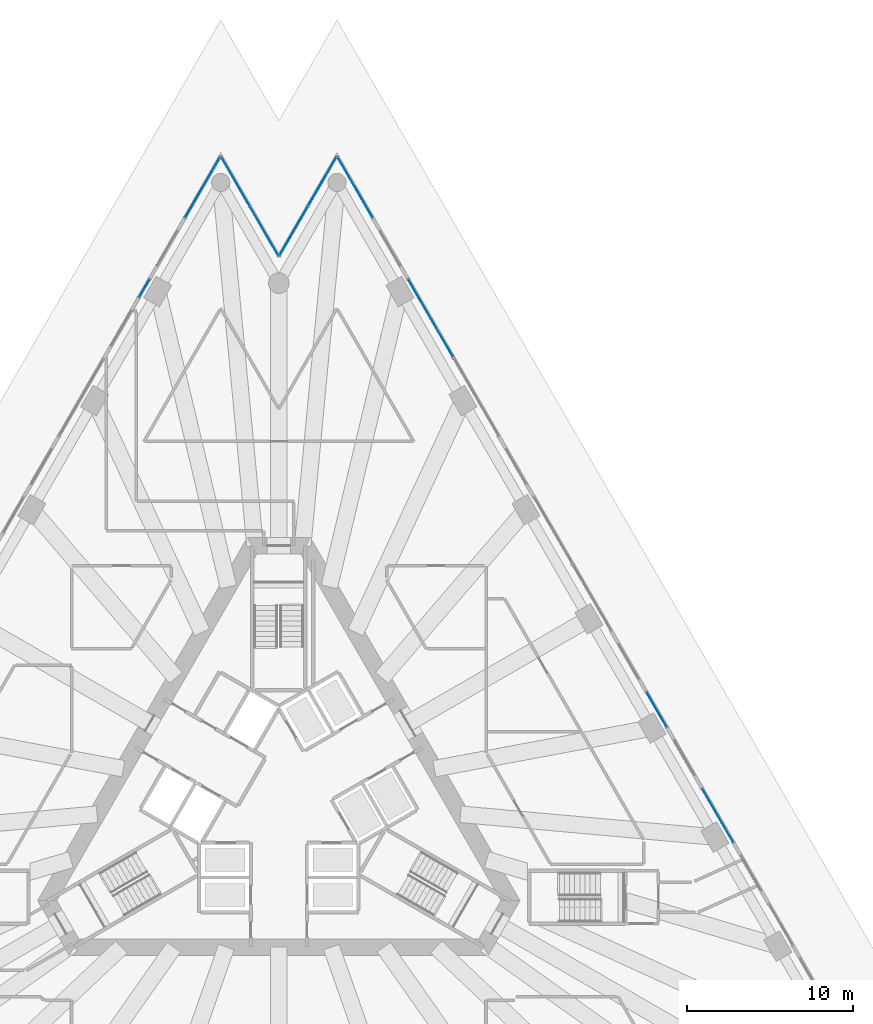
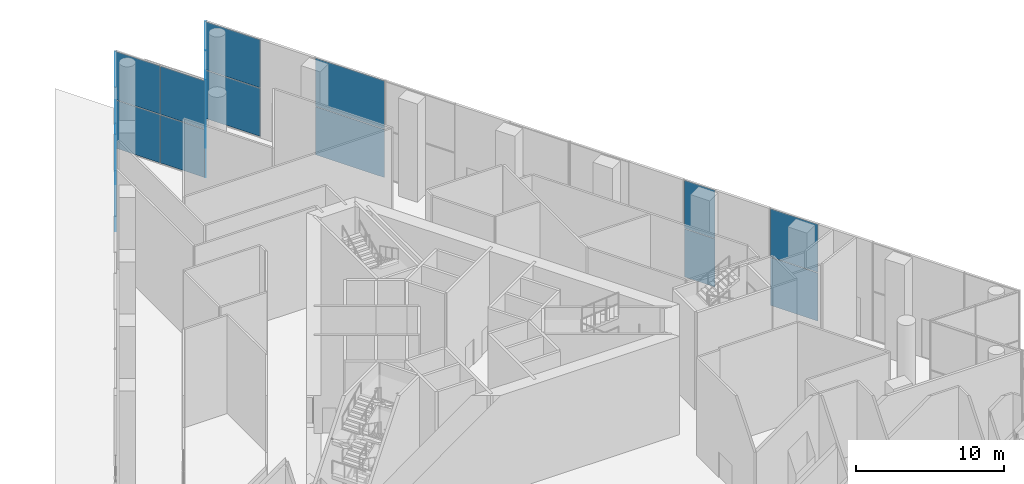
# One storey, part 19 of 41: 20 plates, 8 elements without a shape of their own.
"""IFC4 building model written with IfcOpenShell, lengths in metres."""

from ifc_helpers import new_model, si_unit, direction, frame, origin, origin_2d, place, context, subcontext, project, spatial, rectangle, extrude, material, layer, layer_set, type_object, element, aggregate, save


model = new_model("IFC4")

# Units and contexts
model_context = context("Model", 3, precision=1e-05, world=origin(), true_north=direction((0.0, 1.0)))
body_context = subcontext(model_context, "Body", "Model", "MODEL_VIEW")
ifc_project = project(units=[si_unit("LENGTHUNIT", "METRE"), si_unit("AREAUNIT", "SQUARE_METRE"), si_unit("VOLUMEUNIT", "CUBIC_METRE"), si_unit("PLANEANGLEUNIT", "RADIAN"), si_unit("MASSUNIT", "GRAM", prefix="KILO")], contexts=[model_context])

# Site, building, storey
site_placement = place(None, origin())
site = spatial("IfcSite", under=ifc_project, at=site_placement, CompositionType="ELEMENT")
building_placement = place(site_placement, origin())
building = spatial("IfcBuilding", under=site, at=building_placement, Name="Triada Interchange Tower", CompositionType="ELEMENT")
storey_placement = place(building_placement, origin())
storey = spatial("IfcBuildingStorey", under=building, at=storey_placement, Name="L00", CompositionType="ELEMENT", Elevation=0.0)

# Curtain wall, plates
ifc_material_1 = material(Name="Aluminium framed glazing", Category="aluminium")
ifc_layer_1 = layer(ifc_material_1, 0.199951171875)
ifc_layer_set_1 = layer_set([ifc_layer_1], Name="Curtain wall Concourse glazed screen")
curtain_wall_type_1 = type_object("IfcCurtainWallType", Name="Curtain wall Concourse glazed screen", PredefinedType="NOTDEFINED", material=ifc_layer_set_1)
curtain_wall_1_placement = place(storey_placement, origin())
curtain_wall_1 = element("IfcCurtainWall", 1, at=curtain_wall_1_placement, inside=storey, type_object=curtain_wall_type_1, Name="Concourse glazed screen CW021 L00", PredefinedType="NOTDEFINED")
ifc_material_2 = material(Name="Insulated glazing unit", Category="glass")
ifc_layer_2 = layer(ifc_material_2, 0.031982421875)
ifc_layer_set_2 = layer_set([ifc_layer_2], Name="Glazing panel Concourse glazed screen 32")
plate_type_1 = type_object("IfcPlateType", Name="Glazing panel Concourse glazed screen 32", PredefinedType="CURTAIN_PANEL", material=ifc_layer_set_2)
plate_1_placement = place(storey_placement, frame((26.4814453125, -1.06640625, 0.06005859375), z_axis=(0.0, 0.0, 1.0), x_axis=(-0.500090892249, 0.86597292076, 0.0)))
plate_1 = element("IfcPlate", 2, at=plate_1_placement, type_object=plate_type_1, Name="CW021 panel 1.1", PredefinedType="CURTAIN_PANEL", context=body_context, shape_type="SweptSolid", body=[
    extrude(rectangle(XDim=3.71728515625, YDim=0.031982421875, at=origin_2d()), origin(), (0.0, 0.0, 1.0), 3.9599609375),
])
plate_2_placement = place(storey_placement, frame((26.4814453125, -1.06640625, 4.080078125), z_axis=(0.0, 0.0, 1.0), x_axis=(-0.500090892249, 0.86597292076, 0.0)))
plate_2 = element("IfcPlate", 3, at=plate_2_placement, type_object=plate_type_1, Name="CW021 panel 1.2", PredefinedType="CURTAIN_PANEL", context=body_context, shape_type="SweptSolid", body=[
    extrude(rectangle(XDim=3.71728515625, YDim=0.031982421875, at=origin_2d()), origin(), (0.0, 0.0, 1.0), 3.9599609375),
])
aggregate(curtain_wall_1, [plate_1, plate_2])

curtain_wall_2_placement = place(storey_placement, origin())
curtain_wall_2 = element("IfcCurtainWall", 4, at=curtain_wall_2_placement, inside=storey, type_object=curtain_wall_type_1, Name="Concourse glazed screen CW022 L00", PredefinedType="NOTDEFINED")
plate_3_placement = place(storey_placement, frame((22.7939453125, 5.320556640625, 0.06005859375), z_axis=(0.0, 0.0, 1.0), x_axis=(-0.500078582492, 0.865980029408, 0.0)))
plate_3 = element("IfcPlate", 5, at=plate_3_placement, type_object=plate_type_1, Name="CW022 panel 1.1", PredefinedType="CURTAIN_PANEL", context=body_context, shape_type="SweptSolid", body=[
    extrude(rectangle(XDim=2.3916015625, YDim=0.031982421875, at=origin_2d()), origin(), (0.0, 0.0, 1.0), 3.9599609375),
])
plate_4_placement = place(storey_placement, frame((22.7939453125, 5.320556640625, 4.080078125), z_axis=(0.0, 0.0, 1.0), x_axis=(-0.500078582492, 0.865980029408, 0.0)))
plate_4 = element("IfcPlate", 6, at=plate_4_placement, type_object=plate_type_1, Name="CW022 panel 1.2", PredefinedType="CURTAIN_PANEL", context=body_context, shape_type="SweptSolid", body=[
    extrude(rectangle(XDim=2.3916015625, YDim=0.031982421875, at=origin_2d()), origin(), (0.0, 0.0, 1.0), 3.9599609375),
])
aggregate(curtain_wall_2, [plate_3, plate_4])

curtain_wall_3_placement = place(storey_placement, origin())
curtain_wall_3 = element("IfcCurtainWall", 7, at=curtain_wall_3_placement, inside=storey, type_object=curtain_wall_type_1, Name="Concourse glazed screen CW026 L00", PredefinedType="NOTDEFINED")
plate_5_placement = place(storey_placement, frame((9.152587890625, 28.946533203125, 0.06005859375), z_axis=(0.0, 0.0, 1.0), x_axis=(-0.499958946795, 0.866049104566, 0.0)))
plate_5 = element("IfcPlate", 8, at=plate_5_placement, type_object=plate_type_1, Name="CW026 panel 1.1", PredefinedType="CURTAIN_PANEL", context=body_context, shape_type="SweptSolid", body=[
    extrude(rectangle(XDim=5.370361328125, YDim=0.031982421875, at=origin_2d()), origin(), (0.0, 0.0, 1.0), 3.9599609375),
])
plate_6_placement = place(storey_placement, frame((9.152587890625, 28.946533203125, 4.080078125), z_axis=(0.0, 0.0, 1.0), x_axis=(-0.499958946795, 0.866049104566, 0.0)))
plate_6 = element("IfcPlate", 9, at=plate_6_placement, type_object=plate_type_1, Name="CW026 panel 1.2", PredefinedType="CURTAIN_PANEL", context=body_context, shape_type="SweptSolid", body=[
    extrude(rectangle(XDim=5.370361328125, YDim=0.031982421875, at=origin_2d()), origin(), (0.0, 0.0, 1.0), 3.9599609375),
])
aggregate(curtain_wall_3, [plate_5, plate_6])

curtain_wall_4_placement = place(storey_placement, origin())
curtain_wall_4 = element("IfcCurtainWall", 10, at=curtain_wall_4_placement, inside=storey, type_object=curtain_wall_type_1, Name="Concourse glazed screen CW027 L00", PredefinedType="NOTDEFINED")
plate_7_placement = place(storey_placement, frame((4.593505859375, 36.843505859375, 0.06005859375), z_axis=(0.0, 0.0, 1.0), x_axis=(-0.500074377095, 0.86598245789, 0.0)))
plate_7 = element("IfcPlate", 11, at=plate_7_placement, type_object=plate_type_1, Name="CW027 panel 1.1", PredefinedType="CURTAIN_PANEL", context=body_context, shape_type="SweptSolid", body=[
    extrude(rectangle(XDim=4.225341796875, YDim=0.031982421875, at=origin_2d()), origin(), (0.0, 0.0, 1.0), 3.9599609375),
])
plate_8_placement = place(storey_placement, frame((4.593505859375, 36.843505859375, 4.080078125), z_axis=(0.0, 0.0, 1.0), x_axis=(-0.500074377095, 0.86598245789, 0.0)))
plate_8 = element("IfcPlate", 12, at=plate_8_placement, type_object=plate_type_1, Name="CW027 panel 1.2", PredefinedType="CURTAIN_PANEL", context=body_context, shape_type="SweptSolid", body=[
    extrude(rectangle(XDim=4.225341796875, YDim=0.031982421875, at=origin_2d()), origin(), (0.0, 0.0, 1.0), 3.9599609375),
])
aggregate(curtain_wall_4, [plate_7, plate_8])

curtain_wall_5_placement = place(storey_placement, origin())
curtain_wall_5 = element("IfcCurtainWall", 13, at=curtain_wall_5_placement, inside=storey, type_object=curtain_wall_type_1, Name="Concourse glazed screen CW030 L00", PredefinedType="NOTDEFINED")
plate_9_placement = place(storey_placement, frame((-4.593505859375, 36.843017578125, 0.06005859375), z_axis=(0.0, 0.0, 1.0), x_axis=(-0.499974734167, -0.866039990529, 0.0)))
plate_9 = element("IfcPlate", 14, at=plate_9_placement, type_object=plate_type_1, Name="CW030 panel 1.1", PredefinedType="CURTAIN_PANEL", context=body_context, shape_type="SweptSolid", body=[
    extrude(rectangle(XDim=4.226318359375, YDim=0.031982421875, at=origin_2d()), origin(), (0.0, 0.0, 1.0), 3.9599609375),
])
plate_10_placement = place(storey_placement, frame((-4.593505859375, 36.843017578125, 4.080078125), z_axis=(0.0, 0.0, 1.0), x_axis=(-0.499974734167, -0.866039990529, 0.0)))
plate_10 = element("IfcPlate", 15, at=plate_10_placement, type_object=plate_type_1, Name="CW030 panel 1.2", PredefinedType="CURTAIN_PANEL", context=body_context, shape_type="SweptSolid", body=[
    extrude(rectangle(XDim=4.226318359375, YDim=0.031982421875, at=origin_2d()), origin(), (0.0, 0.0, 1.0), 3.9599609375),
])
aggregate(curtain_wall_5, [plate_9, plate_10])

curtain_wall_6_placement = place(storey_placement, origin())
curtain_wall_6 = element("IfcCurtainWall", 16, at=curtain_wall_6_placement, inside=storey, type_object=curtain_wall_type_1, Name="Concourse glazed screen CW031 L00", PredefinedType="NOTDEFINED")
plate_11_placement = place(storey_placement, frame((-8.118408203125, 30.737548828125, 0.06005859375), z_axis=(0.0, 0.0, 1.0), x_axis=(-0.499871593728, -0.866099526488, 0.0)))
plate_11 = element("IfcPlate", 17, at=plate_11_placement, type_object=plate_type_1, Name="CW031 panel 1.1", PredefinedType="CURTAIN_PANEL", context=body_context, shape_type="SweptSolid", body=[
    extrude(rectangle(XDim=1.234375, YDim=0.031982421875, at=origin_2d()), origin(), (0.0, 0.0, 1.0), 3.9599609375),
])
plate_12_placement = place(storey_placement, frame((-8.118408203125, 30.737548828125, 4.080078125), z_axis=(0.0, 0.0, 1.0), x_axis=(-0.499871593728, -0.866099526488, 0.0)))
plate_12 = element("IfcPlate", 18, at=plate_12_placement, type_object=plate_type_1, Name="CW031 panel 1.2", PredefinedType="CURTAIN_PANEL", context=body_context, shape_type="SweptSolid", body=[
    extrude(rectangle(XDim=1.234375, YDim=0.031982421875, at=origin_2d()), origin(), (0.0, 0.0, 1.0), 3.9599609375),
])
aggregate(curtain_wall_6, [plate_11, plate_12])

ifc_layer_3 = layer(ifc_material_1, 0.199951171875)
ifc_layer_set_3 = layer_set([ifc_layer_3], Name="Curtain wall Tower lobby glazing")
curtain_wall_type_2 = type_object("IfcCurtainWallType", Name="Curtain wall Tower lobby glazing", PredefinedType="NOTDEFINED", material=ifc_layer_set_3)
curtain_wall_7_placement = place(storey_placement, origin())
curtain_wall_7 = element("IfcCurtainWall", 19, at=curtain_wall_7_placement, inside=storey, type_object=curtain_wall_type_2, Name="Tower lobby glazing CW028 L00", PredefinedType="NOTDEFINED")
ifc_layer_4 = layer(ifc_material_2, 0.031982421875)
ifc_layer_set_4 = layer_set([ifc_layer_4], Name="Glazing panel Tower lobby glazing 32")
plate_type_2 = type_object("IfcPlateType", Name="Glazing panel Tower lobby glazing 32", PredefinedType="CURTAIN_PANEL", material=ifc_layer_set_4)
plate_13_placement = place(storey_placement, frame((2.622802734375, 37.193359375, 0.06005859375), z_axis=(0.0, 0.0, 1.0), x_axis=(-0.499956922962, -0.866050272896, 0.0)))
plate_13 = element("IfcPlate", 20, at=plate_13_placement, type_object=plate_type_2, Name="CW028 panel 1.1", PredefinedType="CURTAIN_PANEL", context=body_context, shape_type="SweptSolid", body=[
    extrude(rectangle(XDim=3.417236328125, YDim=0.031982421875, at=origin_2d()), origin(), (0.0, 0.0, 1.0), 3.9599609375),
])
plate_14_placement = place(storey_placement, frame((2.622802734375, 37.193359375, 4.080078125), z_axis=(0.0, 0.0, 1.0), x_axis=(-0.499956922962, -0.866050272896, 0.0)))
plate_14 = element("IfcPlate", 21, at=plate_14_placement, type_object=plate_type_2, Name="CW028 panel 1.2", PredefinedType="CURTAIN_PANEL", context=body_context, shape_type="SweptSolid", body=[
    extrude(rectangle(XDim=3.417236328125, YDim=0.031982421875, at=origin_2d()), origin(), (0.0, 0.0, 1.0), 3.9599609375),
])
plate_15_placement = place(storey_placement, frame((0.88427734375, 34.181640625, 0.06005859375), z_axis=(0.0, 0.0, 1.0), x_axis=(-0.499956922962, -0.866050272896, 0.0)))
plate_15 = element("IfcPlate", 22, at=plate_15_placement, type_object=plate_type_2, Name="CW028 panel 2.1", PredefinedType="CURTAIN_PANEL", context=body_context, shape_type="SweptSolid", body=[
    extrude(rectangle(XDim=3.417236328125, YDim=0.031982421875, at=origin_2d()), origin(), (0.0, 0.0, 1.0), 3.9599609375),
])
plate_16_placement = place(storey_placement, frame((0.88427734375, 34.181640625, 4.080078125), z_axis=(0.0, 0.0, 1.0), x_axis=(-0.499956922962, -0.866050272896, 0.0)))
plate_16 = element("IfcPlate", 23, at=plate_16_placement, type_object=plate_type_2, Name="CW028 panel 2.2", PredefinedType="CURTAIN_PANEL", context=body_context, shape_type="SweptSolid", body=[
    extrude(rectangle(XDim=3.417236328125, YDim=0.031982421875, at=origin_2d()), origin(), (0.0, 0.0, 1.0), 3.9599609375),
])
aggregate(curtain_wall_7, [plate_13, plate_14, plate_15, plate_16])

curtain_wall_8_placement = place(storey_placement, origin())
curtain_wall_8 = element("IfcCurtainWall", 24, at=curtain_wall_8_placement, inside=storey, type_object=curtain_wall_type_2, Name="Tower lobby glazing CW029 L00", PredefinedType="NOTDEFINED")
plate_17_placement = place(storey_placement, frame((-0.88427734375, 34.181640625, 0.06005859375), z_axis=(0.0, 0.0, 1.0), x_axis=(-0.499956922962, 0.866050272896, 0.0)))
plate_17 = element("IfcPlate", 25, at=plate_17_placement, type_object=plate_type_2, Name="CW029 panel 1.1", PredefinedType="CURTAIN_PANEL", context=body_context, shape_type="SweptSolid", body=[
    extrude(rectangle(XDim=3.417236328125, YDim=0.031982421875, at=origin_2d()), origin(), (0.0, 0.0, 1.0), 3.9599609375),
])
plate_18_placement = place(storey_placement, frame((-0.88427734375, 34.181640625, 4.080078125), z_axis=(0.0, 0.0, 1.0), x_axis=(-0.499956922962, 0.866050272896, 0.0)))
plate_18 = element("IfcPlate", 26, at=plate_18_placement, type_object=plate_type_2, Name="CW029 panel 1.2", PredefinedType="CURTAIN_PANEL", context=body_context, shape_type="SweptSolid", body=[
    extrude(rectangle(XDim=3.417236328125, YDim=0.031982421875, at=origin_2d()), origin(), (0.0, 0.0, 1.0), 3.9599609375),
])
plate_19_placement = place(storey_placement, frame((-2.622802734375, 37.193359375, 0.06005859375), z_axis=(0.0, 0.0, 1.0), x_axis=(-0.499956922962, 0.866050272896, 0.0)))
plate_19 = element("IfcPlate", 27, at=plate_19_placement, type_object=plate_type_2, Name="CW029 panel 2.1", PredefinedType="CURTAIN_PANEL", context=body_context, shape_type="SweptSolid", body=[
    extrude(rectangle(XDim=3.417236328125, YDim=0.031982421875, at=origin_2d()), origin(), (0.0, 0.0, 1.0), 3.9599609375),
])
plate_20_placement = place(storey_placement, frame((-2.622802734375, 37.193359375, 4.080078125), z_axis=(0.0, 0.0, 1.0), x_axis=(-0.499956922962, 0.866050272896, 0.0)))
plate_20 = element("IfcPlate", 28, at=plate_20_placement, type_object=plate_type_2, Name="CW029 panel 2.2", PredefinedType="CURTAIN_PANEL", context=body_context, shape_type="SweptSolid", body=[
    extrude(rectangle(XDim=3.417236328125, YDim=0.031982421875, at=origin_2d()), origin(), (0.0, 0.0, 1.0), 3.9599609375),
])
aggregate(curtain_wall_8, [plate_17, plate_18, plate_19, plate_20])

save(model, "model.ifc")
